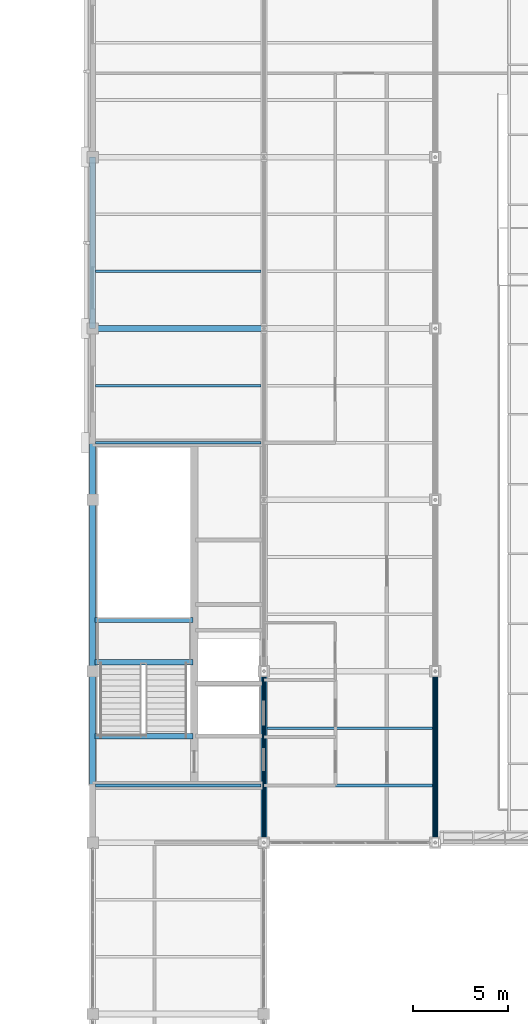
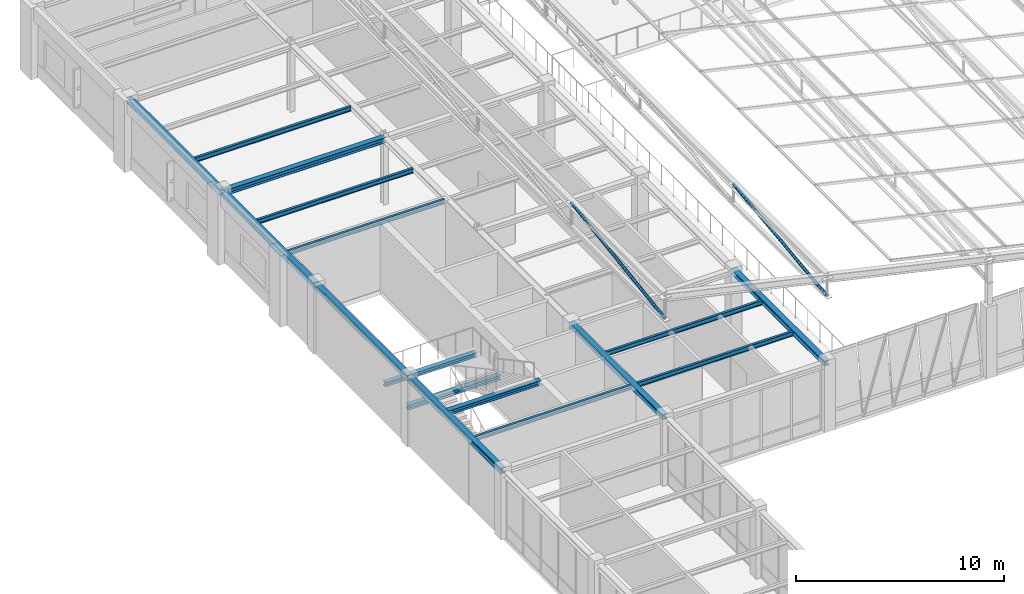
# One storey, part 61 of 130: 16 beams, 2 members.
"""IFC4 building model written with IfcOpenShell, lengths in metres."""

from ifc_helpers import new_model, si_unit, direction, frame, origin, origin_2d, place, context, subcontext, project, spatial, hollow_circle, i_section, extrude, material, material_profile, profile_set, type_object, element, save


model = new_model("IFC4")

# Units and contexts
model_context = context("Model", 3, precision=1e-05, world=origin(), true_north=direction((0.0, 1.0)))
body_context = subcontext(model_context, "Body", "Model", "MODEL_VIEW")
ifc_project = project(units=[si_unit("LENGTHUNIT", "METRE"), si_unit("AREAUNIT", "SQUARE_METRE"), si_unit("VOLUMEUNIT", "CUBIC_METRE"), si_unit("PLANEANGLEUNIT", "RADIAN"), si_unit("MASSUNIT", "GRAM", prefix="KILO")], contexts=[model_context])

# Site, building, storey
site_placement = place(None, origin())
site = spatial("IfcSite", under=ifc_project, at=site_placement, CompositionType="ELEMENT")
building_placement = place(site_placement, origin())
building = spatial("IfcBuilding", under=site, at=building_placement, Name="Lykobir Media Centre", CompositionType="ELEMENT")
storey_placement = place(building_placement, frame((0.0, 0.0, 19.199951171875)))
storey = spatial("IfcBuildingStorey", under=building, at=storey_placement, Name="L04", CompositionType="ELEMENT", Elevation=19.199951171875)

# Beams
ifc_material = material(Name="Steel S355", Category="steel")
ifc_material_profile_1 = material_profile(ifc_material, i_section(OverallWidth=0.300048828125, OverallDepth=0.2900390625, WebThickness=0.008544921875, FlangeThickness=0.013916015625, at=origin_2d()), Name="HEA 300")
ifc_profile_set_1 = profile_set([ifc_material_profile_1], Name="Steel S355")
beam_type_1 = type_object("IfcBeamType", Name="BM-HEA300", PredefinedType="BEAM", material=ifc_profile_set_1)
for number, where, z_axis, x_axis, name in (
    (1, (36.0, 63.0, 3.81494140625), (0.0, 1.0, 0.0), (-1.0, 0.0, 0.0), "Beam BM-L04-0360-0630-0360-0720-2302"),
    (2, (45.0, 63.0, 3.81494140625), (0.0, 1.0, 0.0), (-1.0, 0.0, 0.0), "Beam BM-L04-0450-0630-0450-0720-2302"),
):
    element("IfcBeam", number, at=place(storey_placement, frame(where, z_axis=z_axis, x_axis=x_axis)), inside=storey, type_object=beam_type_1, Name=name, PredefinedType="BEAM", context=body_context, shape_type="SweptSolid", body=[
        extrude(i_section(OverallWidth=0.300048828125, OverallDepth=0.2900390625, WebThickness=0.008544921875, FlangeThickness=0.013916015625, at=origin_2d()), origin(), (0.0, 0.0, 1.0), 9.0),
    ])
ifc_material_profile_2 = material_profile(ifc_material, i_section(OverallWidth=0.260009765625, OverallDepth=0.25, WebThickness=0.007568359375, FlangeThickness=0.012451171875, at=origin_2d()), Name="HEA 260")
ifc_profile_set_2 = profile_set([ifc_material_profile_2], Name="Steel S355")
beam_type_2 = type_object("IfcBeamType", Name="BM-ST260", PredefinedType="BEAM", material=ifc_profile_set_2)
beam_placement = place(storey_placement, frame((27.1298828125, 74.679931640625, 1.780029296875), z_axis=(1.0, 0.0, 0.0), x_axis=(0.0, 1.0, 0.0)))
element("IfcBeam", 3, at=beam_placement, inside=storey, type_object=beam_type_2, Name="ST-3 L04 half-landing support beam", PredefinedType="BEAM", context=body_context, shape_type="SweptSolid", body=[
    extrude(i_section(OverallWidth=0.260009765625, OverallDepth=0.25, WebThickness=0.007568359375, FlangeThickness=0.012451171875, at=origin_2d()), origin(), (0.0, 0.0, 1.0), 5.14013671875),
])
ifc_material_profile_3 = material_profile(ifc_material, i_section(OverallWidth=0.280029296875, OverallDepth=0.27001953125, WebThickness=0.008056640625, FlangeThickness=0.012939453125, at=origin_2d()), Name="HEA 280")
ifc_profile_set_3 = profile_set([ifc_material_profile_3], Name="Steel S355")
beam_type_3 = type_object("IfcBeamType", Name="BM-ST280", PredefinedType="BEAM", material=ifc_profile_set_3)
for number, where, z_axis, x_axis, name in (
    (4, (27.1298828125, 68.580078125, 3.824951171875), (1.0, 0.0, 0.0), (0.0, 1.0, 0.0), "ST-3 L04 arrival trimmer beam"),
    (5, (27.1298828125, 72.47998046875, 1.77001953125), (1.0, 0.0, 0.0), (0.0, 1.0, 0.0), "ST-3 L04 mid-landing trimmer beam"),
):
    element("IfcBeam", number, at=place(storey_placement, frame(where, z_axis=z_axis, x_axis=x_axis)), inside=storey, type_object=beam_type_3, Name=name, PredefinedType="BEAM", context=body_context, shape_type="SweptSolid", body=[
        extrude(i_section(OverallWidth=0.280029296875, OverallDepth=0.27001953125, WebThickness=0.008056640625, FlangeThickness=0.012939453125, at=origin_2d()), origin(), (0.0, 0.0, 1.0), 5.14013671875),
    ])

# Members
ifc_material_profile_4 = material_profile(ifc_material, hollow_circle(Radius=0.084228515625, WallThickness=0.010009765625, at=origin_2d()), Name="CHS 168.3x10.0")
ifc_profile_set_4 = profile_set([ifc_material_profile_4], Name="Steel S355")
member_type = type_object("IfcMemberType", Name="BR-CHS168", PredefinedType="BRACE", material=ifc_profile_set_4)
member_1_placement = place(storey_placement, frame((36.0, 63.0, 9.590087890625), z_axis=(0.0, 0.988938714016, 0.148324711095), x_axis=(-1.0, 0.0, 0.0)))
element("IfcMember", 6, at=member_1_placement, inside=storey, type_object=member_type, Name="Diagonal brace MEM2-L04-0360-0630-0288-0360-0720-0434", PredefinedType="BRACE", context=body_context, shape_type="SweptSolid", body=[
    extrude(hollow_circle(Radius=0.084228515625, WallThickness=0.010009765625, at=origin_2d()), origin(), (0.0, 0.0, 1.0), 9.1005859375),
])
member_2_placement = place(storey_placement, frame((45.0, 63.0, 7.780029296875), z_axis=(0.0, 0.992343997404, 0.123504618601), x_axis=(-1.0, 0.0, 0.0)))
element("IfcMember", 7, at=member_2_placement, inside=storey, type_object=member_type, Name="Diagonal brace MEM2-L04-0450-0630-0270-0450-0720-0447", PredefinedType="BRACE", context=body_context, shape_type="SweptSolid", body=[
    extrude(hollow_circle(Radius=0.084228515625, WallThickness=0.010009765625, at=origin_2d()), origin(), (0.0, 0.0, 1.0), 9.0693359375),
])

# Beams
ifc_material_profile_5 = material_profile(ifc_material, i_section(OverallWidth=0.135009765625, OverallDepth=0.27001953125, WebThickness=0.006591796875, FlangeThickness=0.01025390625, at=origin_2d()), Name="IPE 270")
ifc_profile_set_5 = profile_set([ifc_material_profile_5], Name="Steel S355")
beam_type_4 = type_object("IfcBeamType", Name="JS-IPE270", PredefinedType="JOIST", material=ifc_profile_set_5)
for number, where, z_axis, x_axis, name in (
    (8, (27.14990234375, 66.0, 3.824951171875), (1.0, 0.0, 0.0), (0.0, 1.0, 0.0), "Beam BM-L04-0272-0660-0358-0660-2302"),
    (9, (27.14990234375, 84.0, 3.824951171875), (1.0, 0.0, 0.0), (0.0, 1.0, 0.0), "Beam BM-L04-0272-0840-0358-0840-2302"),
    (10, (27.14990234375, 87.0, 3.824951171875), (1.0, 0.0, 0.0), (0.0, 1.0, 0.0), "Beam BM-L04-0272-0870-0358-0870-2302"),
    (11, (27.14990234375, 93.0, 3.824951171875), (1.0, 0.0, 0.0), (0.0, 1.0, 0.0), "Beam BM-L04-0272-0930-0358-0930-2302"),
    (12, (36.14990234375, 66.0, 3.824951171875), (1.0, 0.0, 0.0), (0.0, 1.0, 0.0), "Beam BM-L04-0362-0660-0448-0660-2302"),
    (13, (36.14990234375, 69.0, 3.824951171875), (1.0, 0.0, 0.0), (0.0, 1.0, 0.0), "Beam BM-L04-0362-0690-0448-0690-2302"),
):
    element("IfcBeam", number, at=place(storey_placement, frame(where, z_axis=z_axis, x_axis=x_axis)), inside=storey, type_object=beam_type_4, Name=name, PredefinedType="JOIST", context=body_context, shape_type="SweptSolid", body=[
        extrude(i_section(OverallWidth=0.135009765625, OverallDepth=0.27001953125, WebThickness=0.006591796875, FlangeThickness=0.01025390625, at=origin_2d()), origin(), (0.0, 0.0, 1.0), 8.7001953125),
    ])
ifc_material_profile_6 = material_profile(ifc_material, i_section(OverallWidth=0.300048828125, OverallDepth=0.31005859375, WebThickness=0.009033203125, FlangeThickness=0.015380859375, at=origin_2d()), Name="HEA 320")
ifc_profile_set_6 = profile_set([ifc_material_profile_6], Name="Steel S355")
beam_type_5 = type_object("IfcBeamType", Name="SP-HEA320", PredefinedType="SPANDREL", material=ifc_profile_set_6)
for number, where, z_axis, x_axis, name in (
    (14, (27.0, 90.0, 3.804931640625), (1.0, 0.0, 0.0), (0.0, 1.0, 0.0), "Beam BM-L04-0270-0900-0360-0900-2300"),
    (15, (27.0, 63.0, 3.804931640625), (0.0, 1.0, 0.0), (-1.0, 0.0, 0.0), "Beam BM-L04-0270-0630-0270-0720-2300"),
    (16, (27.0, 72.0, 3.804931640625), (0.0, 1.0, 0.0), (-1.0, 0.0, 0.0), "Beam BM-L04-0270-0720-0270-0810-2300"),
    (17, (27.0, 81.0, 3.804931640625), (0.0, 1.0, 0.0), (-1.0, 0.0, 0.0), "Beam BM-L04-0270-0810-0270-0900-2300"),
    (18, (27.0, 90.0, 3.804931640625), (0.0, 1.0, 0.0), (-1.0, 0.0, 0.0), "Beam BM-L04-0270-0900-0270-0990-2300"),
):
    element("IfcBeam", number, at=place(storey_placement, frame(where, z_axis=z_axis, x_axis=x_axis)), inside=storey, type_object=beam_type_5, Name=name, PredefinedType="SPANDREL", context=body_context, shape_type="SweptSolid", body=[
        extrude(i_section(OverallWidth=0.300048828125, OverallDepth=0.31005859375, WebThickness=0.009033203125, FlangeThickness=0.015380859375, at=origin_2d()), origin(), (0.0, 0.0, 1.0), 9.0),
    ])

save(model, "model.ifc")
